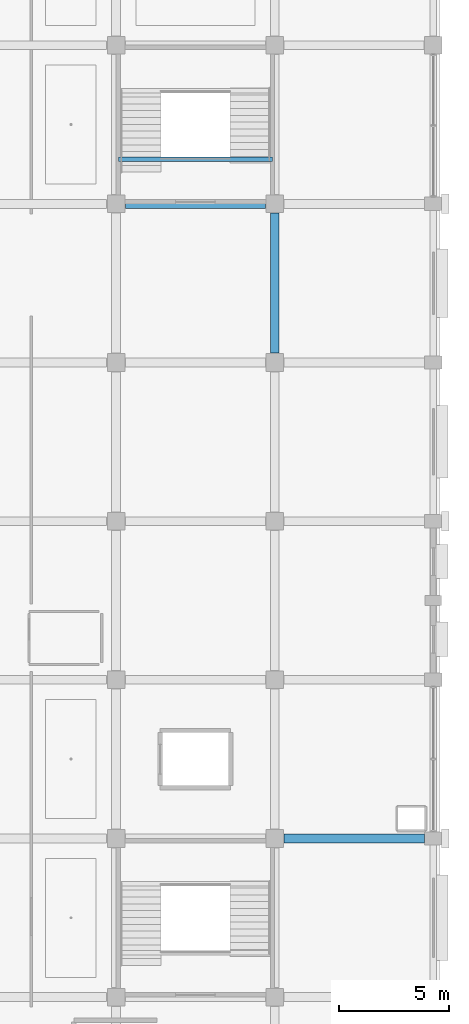
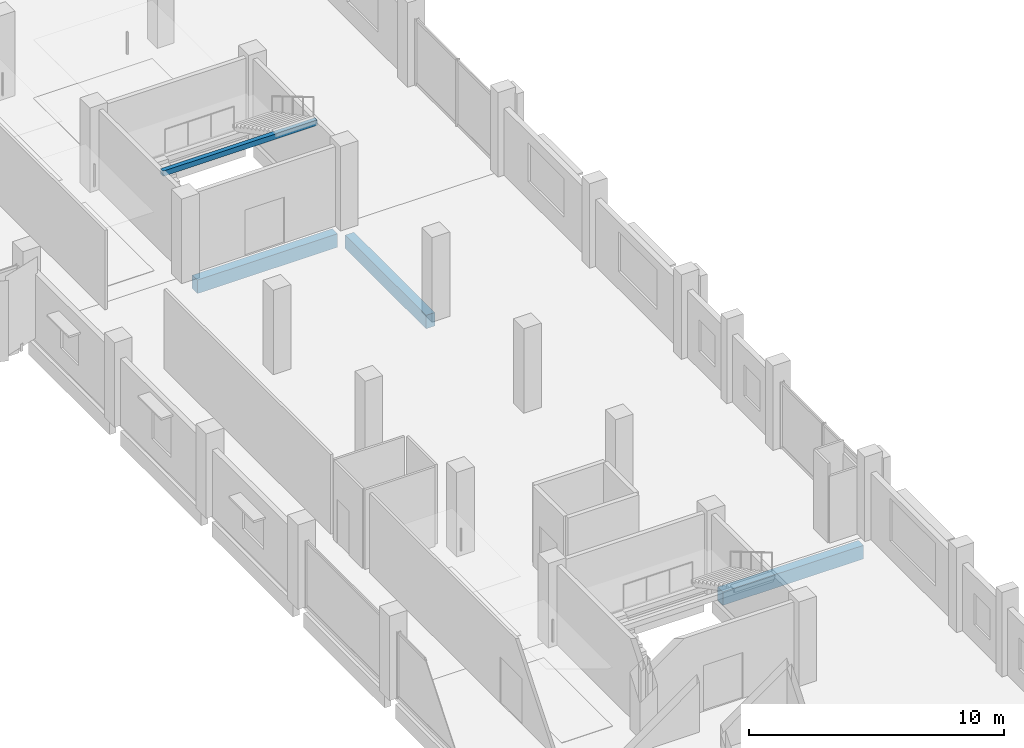
# One storey, part 63 of 107: 4 beams.
"""IFC4 building model written with IfcOpenShell, lengths in metres."""

from ifc_helpers import new_model, si_unit, direction, frame, origin, origin_2d, place, context, subcontext, project, spatial, rectangle, extrude, material, material_profile, profile_set, type_object, element, save


model = new_model("IFC4")

# Units and contexts
model_context = context("Model", 3, precision=1e-05, world=origin(), true_north=direction((0.0, 1.0)))
body_context = subcontext(model_context, "Body", "Model", "MODEL_VIEW")
ifc_project = project(units=[si_unit("LENGTHUNIT", "METRE"), si_unit("AREAUNIT", "SQUARE_METRE"), si_unit("VOLUMEUNIT", "CUBIC_METRE"), si_unit("PLANEANGLEUNIT", "RADIAN"), si_unit("MASSUNIT", "GRAM", prefix="KILO")], contexts=[model_context])

# Site, building, storey
site_placement = place(None, origin())
site = spatial("IfcSite", under=ifc_project, at=site_placement, CompositionType="ELEMENT")
building_placement = place(site_placement, origin())
building = spatial("IfcBuilding", under=site, at=building_placement, Name="Kangsadwip Square Police Headquarters", CompositionType="ELEMENT")
storey_placement = place(building_placement, frame((0.0, 0.0, 5.39990234375)))
storey = spatial("IfcBuildingStorey", under=building, at=storey_placement, Name="L01", CompositionType="ELEMENT", Elevation=5.39990234375)

# Beams
ifc_material_1 = material(Name="Concrete M35 (35 MPa)", Category="concrete")
ifc_material_profile_1 = material_profile(ifc_material_1, rectangle(XDim=0.39990234375, YDim=0.64990234375, at=origin_2d()), Name="RC BM 650X400")
ifc_profile_set_1 = profile_set([ifc_material_profile_1], Name="Concrete M35 (35 MPa)")
beam_type_1 = type_object("IfcBeamType", Name="RcBeam650x400", PredefinedType="BEAM", material=ifc_profile_set_1)
beam_1_placement = place(storey_placement, frame((158.824951171875, 64.800048828125, -0.56494140625), z_axis=(1.0, 0.0, 0.0), x_axis=(0.0, 1.0, 0.0)))
element("IfcBeam", 1, at=beam_1_placement, inside=storey, type_object=beam_type_1, Name="Beam BM-L01-X-22-09", PredefinedType="BEAM", context=body_context, shape_type="SweptSolid", body=[
    extrude(rectangle(XDim=0.39990234375, YDim=0.64990234375, at=origin_2d()), origin(), (0.0, 0.0, 1.0), 6.375),
])
for number, where, z_axis, x_axis, name in (
    (2, (151.625, 93.60009765625, -0.56494140625), (1.0, 0.0, 0.0), (0.0, 1.0, 0.0), "Beam BM-L01-X-21-13"),
    (3, (158.39990234375, 86.824951171875, -0.56494140625), (0.0, 1.0, 0.0), (-1.0, 0.0, 0.0), "Beam BM-L01-Y-22-12"),
):
    element("IfcBeam", number, at=place(storey_placement, frame(where, z_axis=z_axis, x_axis=x_axis)), inside=storey, type_object=beam_type_1, Name=name, PredefinedType="BEAM", context=body_context, shape_type="SweptSolid", body=[
        extrude(rectangle(XDim=0.39990234375, YDim=0.64990234375, at=origin_2d()), origin(), (0.0, 0.0, 1.0), 6.35009765625),
    ])
ifc_material_2 = material(Name="Concrete M30 (30 MPa)", Category="concrete")
ifc_material_profile_2 = material_profile(ifc_material_2, rectangle(XDim=0.199951171875, YDim=0.25, at=origin_2d()), Name="RC LNT 250X200")
ifc_profile_set_2 = profile_set([ifc_material_profile_2], Name="Concrete M30 (30 MPa)")
beam_type_2 = type_object("IfcBeamType", Name="RcLintel250x200", PredefinedType="LINTEL", material=ifc_profile_set_2)
beam_2_placement = place(storey_placement, frame((151.300048828125, 95.6201171875, 3.68505859375), z_axis=(1.0, 0.0, 0.0), x_axis=(0.0, 1.0, 0.0)))
element("IfcBeam", 4, at=beam_2_placement, inside=storey, type_object=beam_type_2, Name="Stair Carriage and Landing Beam BM-ST-L01-062", PredefinedType="BEAM", context=body_context, shape_type="SweptSolid", body=[
    extrude(rectangle(XDim=0.199951171875, YDim=0.25, at=origin_2d()), origin(), (0.0, 0.0, 1.0), 7.0),
])

save(model, "model.ifc")
